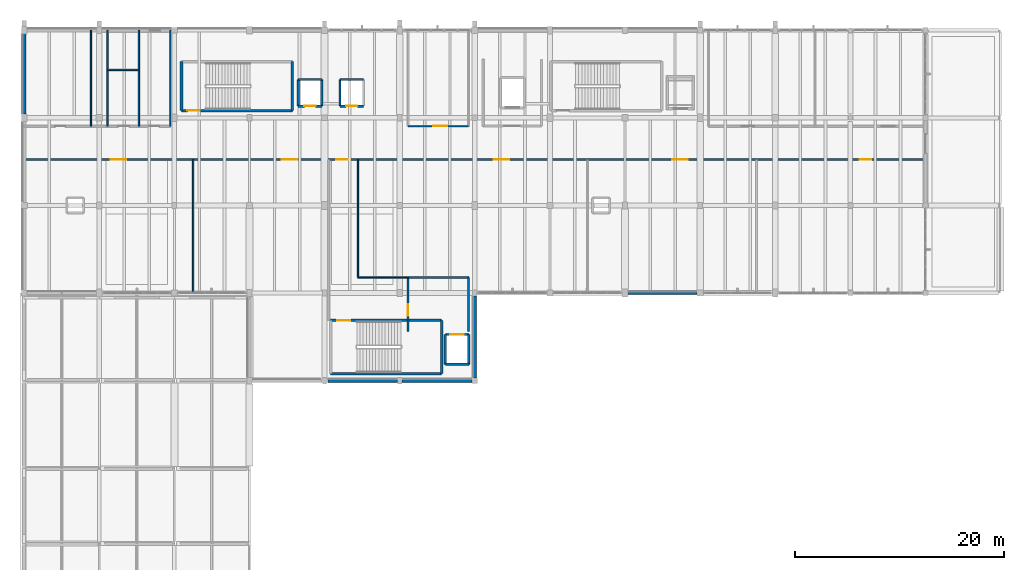
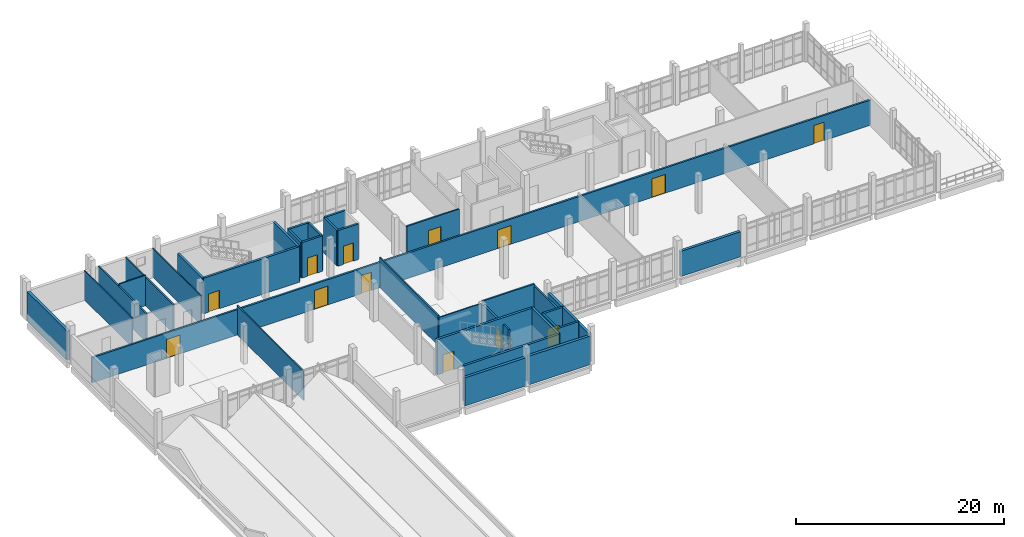
# One storey, part 33 of 41: 35 walls, 13 doors, 13 openings.
"""IFC4 building model written with IfcOpenShell, lengths in metres."""

import ifcopenshell
import ifcopenshell.guid

model = None  # the IFC model being written
_history = None  # IfcOwnerHistory: only IFC2X3 demands one
_inside = {}  # id of a spatial element -> (the spatial element, [elements in it])
_under = {}  # id of a project, library or spatial element -> (it, [spatial elements below it])
_declared = {}  # id of a project -> (the project, [libraries it declares])
_typed = {}  # id of a type object -> (the type object, [elements of that type])
_made_of = {}  # id of a material, layer set ... -> (it, [elements and type objects made of it])


def new_model(schema):
    """Start an empty IFC model of exactly this schema.

    Asked for "IFC4X3", IfcOpenShell would pick the latest addendum, in which some entities
    have other attributes; the version numbers below select the first issue.
    IFC2X3 requires an IfcOwnerHistory on every rooted entity: one is made here for all.
    """
    global model, _history
    if schema == "IFC4X3":
        model = ifcopenshell.file(schema_version=(4, 3, 0, 0))
    else:
        model = ifcopenshell.file(schema=schema)
    _inside.clear()
    _under.clear()
    _declared.clear()
    _typed.clear()
    _made_of.clear()
    _history = None
    if model.schema == "IFC2X3":
        org = make("IfcOrganization", Name="unknown")
        user = make(
            "IfcPersonAndOrganization",
            ThePerson=make("IfcPerson", FamilyName="unknown"),
            TheOrganization=org,
        )
        app = make(
            "IfcApplication",
            ApplicationDeveloper=org,
            Version="unknown",
            ApplicationFullName="unknown",
            ApplicationIdentifier="unknown",
        )
        _history = make(
            "IfcOwnerHistory",
            OwningUser=user,
            OwningApplication=app,
            ChangeAction="ADDED",
            CreationDate=0,
        )
    return model


def make(cls, **values):
    """One entity of the class cls with the attributes given. An attribute that is None is left unset."""
    return model.create_entity(
        cls, **{name: value for name, value in values.items() if value is not None}
    )


def rooted(cls, **values):
    """An entity with a GlobalId (a new one), such as an element, a storey or a relation."""
    return make(cls, GlobalId=ifcopenshell.guid.new(), OwnerHistory=_history, **values)


def si_unit(unit_type, name, prefix=None):
    """IfcSIUnit, for example si_unit("LENGTHUNIT", "METRE", prefix="MILLI")."""
    return make("IfcSIUnit", UnitType=unit_type, Prefix=prefix, Name=name)


def assignment(units):
    """IfcUnitAssignment: the units of a project."""
    return None if units is None else make("IfcUnitAssignment", Units=units)


def point(xyz):
    """IfcCartesianPoint."""
    return None if xyz is None else make("IfcCartesianPoint", Coordinates=xyz)


def direction(xyz):
    """IfcDirection."""
    return None if xyz is None else make("IfcDirection", DirectionRatios=xyz)


def frame(location, z_axis=None, x_axis=None):
    """IfcAxis2Placement3D, a coordinate frame: its origin and axes. An axis left out is left unset."""
    return make(
        "IfcAxis2Placement3D",
        Location=point(location),
        Axis=direction(z_axis),
        RefDirection=direction(x_axis),
    )


def frame_2d(location, x_axis=None):
    """IfcAxis2Placement2D, a coordinate frame in the plane: its origin and x axis."""
    return make(
        "IfcAxis2Placement2D", Location=point(location), RefDirection=direction(x_axis)
    )


def origin():
    """The frame at (0, 0, 0) with its axes left unset."""
    return frame((0.0, 0.0, 0.0))


def place(relative_to, where):
    """IfcLocalPlacement: puts the frame where relative to a parent placement (None: the world)."""
    return make(
        "IfcLocalPlacement", PlacementRelTo=relative_to, RelativePlacement=where
    )


def context(
    kind, dimensions, precision=None, world=None, true_north=None, identifier=None
):
    """IfcGeometricRepresentationContext, for example the 3D "Model" context."""
    return make(
        "IfcGeometricRepresentationContext",
        ContextIdentifier=identifier,
        ContextType=kind,
        CoordinateSpaceDimension=dimensions,
        Precision=precision,
        WorldCoordinateSystem=world,
        TrueNorth=true_north,
    )


def subcontext(parent, identifier, kind, view, scale=None):
    """IfcGeometricRepresentationSubContext, for example "Body" below "Model"."""
    return make(
        "IfcGeometricRepresentationSubContext",
        ContextIdentifier=identifier,
        ContextType=kind,
        ParentContext=parent,
        TargetScale=scale,
        TargetView=view,
    )


def project(units=None, contexts=None):
    """IfcProject with its units and contexts."""
    return rooted(
        "IfcProject",
        Name="project",
        RepresentationContexts=contexts,
        UnitsInContext=assignment(units),
    )


def spatial(cls, under=None, at=None, **own):
    """A site, building, storey or space (cls), placed at a placement, below another one or the project."""
    s = rooted(cls, ObjectPlacement=at, **own)
    if under is not None:
        _under.setdefault(under.id(), (under, []))[1].append(s)
    return s


def profile(cls, at=None, kind="AREA", **sizes):
    """A parametric profile (cls). Its sizes go by their IFC names, for example OverallWidth=200.0."""
    return make(cls, ProfileType=kind, Position=at, **sizes)


def rectangle(**sizes):
    """IfcRectangleProfileDef."""
    return profile("IfcRectangleProfileDef", **sizes)


def extrude(swept, where, along, depth):
    """IfcExtrudedAreaSolid: the profile swept, set in the frame where, extruded along a direction by depth."""
    return make(
        "IfcExtrudedAreaSolid",
        SweptArea=swept,
        Position=where,
        ExtrudedDirection=direction(along),
        Depth=depth,
    )


def shape(context_of_items, identifier, shape_type, items):
    """IfcShapeRepresentation: the items that make up one representation, for example the "Body"."""
    return make(
        "IfcShapeRepresentation",
        ContextOfItems=context_of_items,
        RepresentationIdentifier=identifier,
        RepresentationType=shape_type,
        Items=items,
    )


def material(Name=None, Category=None):
    """IfcMaterial."""
    return make("IfcMaterial", Name=Name, Category=Category)


def layer(
    of_material, thickness, ventilated=None, Name=None, Category=None, Priority=None
):
    """IfcMaterialLayer: one layer of a wall or slab, of a material (None: an air gap)."""
    return make(
        "IfcMaterialLayer",
        Material=of_material,
        LayerThickness=thickness,
        IsVentilated=ventilated,
        Name=Name,
        Category=Category,
        Priority=Priority,
    )


def layer_set(layers, Name=None):
    """IfcMaterialLayerSet."""
    return make("IfcMaterialLayerSet", MaterialLayers=layers, LayerSetName=Name)


def made_of(thing, what):
    """Note that an element or type object is made of a material, layer set ...; save() writes the relation."""
    if what is not None:
        _made_of.setdefault(what.id(), (what, []))[1].append(thing)
    return thing


def type_object(cls, material=None, **own):
    """A type object (cls), such as IfcWallType, which elements share."""
    return made_of(rooted(cls, **own), material)


def element(
    cls,
    number,
    at=None,
    inside=None,
    cuts=None,
    type_object=None,
    material=None,
    context=None,
    identifier="Body",
    shape_type=None,
    held_by="IfcProductDefinitionShape",
    body=None,
    shapes=None,
    **own,
):
    """One element of the class cls, such as IfcWall. Its Tag is "e" and its number.

    at: its placement. inside: the storey or other place that contains it. cuts: it is an
    opening in that element (IfcRelVoidsElement). A single representation is given by context,
    identifier, shape_type and body (its items); several are given by shapes. held_by: the class
    of the entity that holds the representations. save() writes the other relations.
    """
    e = rooted(cls, Tag="e%d" % number, ObjectPlacement=at, **own)
    if body is not None:
        shapes = [shape(context, identifier, shape_type, body)]
    if shapes is not None:
        e.Representation = make(held_by, Representations=shapes)
    if inside is not None:
        _inside.setdefault(inside.id(), (inside, []))[1].append(e)
    if cuts is not None:
        rooted(
            "IfcRelVoidsElement", RelatingBuildingElement=cuts, RelatedOpeningElement=e
        )
    if type_object is not None:
        _typed.setdefault(type_object.id(), (type_object, []))[1].append(e)
    return made_of(e, material)


def fill(opening, filler):
    """IfcRelFillsElement: the door or window that sits in an opening."""
    return rooted(
        "IfcRelFillsElement",
        RelatingOpeningElement=opening,
        RelatedBuildingElement=filler,
    )


def aggregate(whole, parts):
    """IfcRelAggregates: a whole, such as a stair, and the parts it consists of."""
    return rooted("IfcRelAggregates", RelatingObject=whole, RelatedObjects=parts)


def save(model, path):
    """Write the relations noted so far, then the file.

    IfcRelAggregates (storeys below a building ...), IfcRelContainedInSpatialStructure (elements
    in a storey), IfcRelDefinesByType, IfcRelAssociatesMaterial and IfcRelDeclares: one each for
    every whole, place, type object, material and project.
    """
    for whole, parts in _under.values():
        aggregate(whole, parts)
    for where, things in _inside.values():
        rooted(
            "IfcRelContainedInSpatialStructure",
            RelatedElements=things,
            RelatingStructure=where,
        )
    for kind, things in _typed.values():
        rooted("IfcRelDefinesByType", RelatedObjects=things, RelatingType=kind)
    for what, things in _made_of.values():
        rooted("IfcRelAssociatesMaterial", RelatedObjects=things, RelatingMaterial=what)
    for by, libraries in _declared.values():
        rooted("IfcRelDeclares", RelatingContext=by, RelatedDefinitions=libraries)
    model.write(path)


model = new_model("IFC4")

# Units and contexts
model_context = context("Model", 3, precision=1e-05, world=origin(), true_north=direction((0.0, 1.0)))
body_context = subcontext(model_context, "Body", "Model", "MODEL_VIEW")
ifc_project = project(units=[si_unit("LENGTHUNIT", "METRE"), si_unit("AREAUNIT", "SQUARE_METRE"), si_unit("VOLUMEUNIT", "CUBIC_METRE"), si_unit("PLANEANGLEUNIT", "RADIAN"), si_unit("MASSUNIT", "GRAM", prefix="KILO")], contexts=[model_context])

# Site, building, storey
site_placement = place(None, origin())
site = spatial("IfcSite", under=ifc_project, at=site_placement, CompositionType="ELEMENT")
building_placement = place(site_placement, origin())
building = spatial("IfcBuilding", under=site, at=building_placement, Name="Kalluvel Institute of Natural Sciences", CompositionType="ELEMENT")
storey_placement = place(building_placement, frame((0.0, 0.0, 32.39990234375)))
storey = spatial("IfcBuildingStorey", under=building, at=storey_placement, Name="L07", CompositionType="ELEMENT", Elevation=32.39990234375)

# Wall, opening, door
ifc_material_1 = material(Name="Concrete M40", Category="concrete")
ifc_layer_1 = layer(ifc_material_1, 0.25)
ifc_layer_set_1 = layer_set([ifc_layer_1], Name="Concrete M40")
wall_type_1 = type_object("IfcWallType", Name="WL-CORE-250", PredefinedType="SHEAR", material=ifc_layer_set_1)
wall_1_placement = place(storey_placement, frame((29.0849609375, 120.284912109375, 0.0), z_axis=(0.0, 0.0, 1.0), x_axis=(1.0, 0.0, 0.0)))
wall_1 = element("IfcWall", 1, at=wall_1_placement, inside=storey, type_object=wall_type_1, Name="ST1 L07 core wall S", PredefinedType="SHEAR", context=body_context, shape_type="SweptSolid", body=[
    extrude(rectangle(XDim=10.630126953125, YDim=0.25, at=frame_2d((5.31494140625, 0.0))), origin(), (0.0, 0.0, 1.0), 4.175048828125),
])
opening_1_placement = place(wall_1_placement, frame((0.550048828125, 0.0, 0.0)))
opening_1 = element("IfcOpeningElement", 2, at=opening_1_placement, cuts=wall_1, Name="Opening DS-009", PredefinedType="OPENING", context=body_context, shape_type="SweptSolid", body=[
    extrude(rectangle(XDim=1.199951171875, YDim=2.14990234375, at=frame_2d((0.60009765625, 1.074951171875))), frame((0.0, 0.135009765625, 0.0), z_axis=(0.0, -1.0, 0.0), x_axis=(1.0, 0.0, 0.0)), (0.0, 0.0, 1.0), 0.27001953125),
])
ifc_material_2 = material(Name="Galvanized Fire-Rated Steel", Category="steel")
door_type_1 = type_object("IfcDoorType", Name="DR-ST-1200", OperationType="NOTDEFINED", PredefinedType="DOOR", material=ifc_material_2)
door_1_placement = place(opening_1_placement, origin())
door_1 = element("IfcDoor", 3, at=door_1_placement, inside=storey, type_object=door_type_1, Name="ST1 L07 protected stair door DS-009", OperationType="SINGLE_SWING_LEFT", OverallHeight=2.14990234375, OverallWidth=1.199951171875, PredefinedType="DOOR", context=body_context, shape_type="SweptSolid", body=[
    extrude(rectangle(XDim=1.199951171875, YDim=2.14990234375, at=frame_2d((0.60009765625, 1.074951171875))), frame((0.0, 0.02490234375, 0.0), z_axis=(0.0, -1.0, 0.0), x_axis=(1.0, 0.0, 0.0)), (0.0, 0.0, 1.0), 0.050048828125),
])
fill(opening_1, door_1)

# Walls
for number, where, z_axis, x_axis, name in (
    (4, (39.715087890625, 120.284912109375, 0.0), (0.0, 0.0, 1.0), (0.0, 1.0, 0.0), "ST1 L07 core wall E"),
    (5, (29.0849609375, 124.985107421875, 0.0), (0.0, 0.0, 1.0), (0.0, -1.0, 0.0), "ST1 L07 core wall W"),
):
    element("IfcWall", number, at=place(storey_placement, frame(where, z_axis=z_axis, x_axis=x_axis)), inside=storey, type_object=wall_type_1, Name=name, PredefinedType="SHEAR", context=body_context, shape_type="SweptSolid", body=[
        extrude(rectangle(XDim=4.7001953125, YDim=0.25, at=frame_2d((2.35009765625, 0.0))), origin(), (0.0, 0.0, 1.0), 4.175048828125),
    ])
wall_2_placement = place(storey_placement, frame((43.385009765625, 95.0849609375, 0.0), z_axis=(0.0, 0.0, 1.0), x_axis=(1.0, 0.0, 0.0)))
element("IfcWall", 6, at=wall_2_placement, inside=storey, type_object=wall_type_1, Name="ST3 L07 core wall S", PredefinedType="SHEAR", context=body_context, shape_type="SweptSolid", body=[
    extrude(rectangle(XDim=10.6298828125, YDim=0.25, at=frame_2d((5.31494140625, 0.0))), origin(), (0.0, 0.0, 1.0), 4.175048828125),
])
wall_3_placement = place(storey_placement, frame((54.014892578125, 95.0849609375, 0.0), z_axis=(0.0, 0.0, 1.0), x_axis=(0.0, 1.0, 0.0)))
element("IfcWall", 7, at=wall_3_placement, inside=storey, type_object=wall_type_1, Name="ST3 L07 core wall E", PredefinedType="SHEAR", context=body_context, shape_type="SweptSolid", body=[
    extrude(rectangle(XDim=5.10009765625, YDim=0.25, at=frame_2d((2.550048828125, 0.0))), origin(), (0.0, 0.0, 1.0), 4.175048828125),
])

# Wall, opening, door
wall_4_placement = place(storey_placement, frame((54.014892578125, 100.18505859375, 0.0), z_axis=(0.0, 0.0, 1.0), x_axis=(-1.0, 0.0, 0.0)))
wall_4 = element("IfcWall", 8, at=wall_4_placement, inside=storey, type_object=wall_type_1, Name="ST3 L07 core wall N", PredefinedType="SHEAR", context=body_context, shape_type="SweptSolid", body=[
    extrude(rectangle(XDim=10.6298828125, YDim=0.25, at=frame_2d((5.31494140625, 0.0))), origin(), (0.0, 0.0, 1.0), 4.175048828125),
])
opening_2_placement = place(wall_4_placement, frame((8.780029296875, 0.0, 0.0)))
opening_2 = element("IfcOpeningElement", 9, at=opening_2_placement, cuts=wall_4, Name="Opening DS-031", PredefinedType="OPENING", context=body_context, shape_type="SweptSolid", body=[
    extrude(rectangle(XDim=1.199951171875, YDim=2.14990234375, at=frame_2d((0.60009765625, 1.074951171875))), frame((0.0, 0.135009765625, 0.0), z_axis=(0.0, -1.0, 0.0), x_axis=(1.0, 0.0, 0.0)), (0.0, 0.0, 1.0), 0.27001953125),
])
door_2_placement = place(opening_2_placement, origin())
door_2 = element("IfcDoor", 10, at=door_2_placement, inside=storey, type_object=door_type_1, Name="ST3 L07 protected stair door DS-031", OperationType="SINGLE_SWING_LEFT", OverallHeight=2.14990234375, OverallWidth=1.199951171875, PredefinedType="DOOR", context=body_context, shape_type="SweptSolid", body=[
    extrude(rectangle(XDim=1.199951171875, YDim=2.14990234375, at=frame_2d((0.60009765625, 1.074951171875))), frame((0.0, 0.02490234375, 0.0), z_axis=(0.0, -1.0, 0.0), x_axis=(1.0, 0.0, 0.0)), (0.0, 0.0, 1.0), 0.050048828125),
])
fill(opening_2, door_2)

# Walls
ifc_material_3 = material(Name="Sadarahalli Grey Granite Ashlar Concrete M40", Category="masonry")
ifc_layer_2 = layer(ifc_material_3, 0.300048828125)
ifc_layer_set_2 = layer_set([ifc_layer_2], Name="Sadarahalli Grey Granite Ashlar Concrete M40")
wall_type_2 = type_object("IfcWallType", Name="WL-EXT-300", PredefinedType="SOLIDWALL", material=ifc_layer_set_2)
wall_5_placement = place(storey_placement, frame((71.85498046875, 102.800048828125, 0.0), z_axis=(0.0, 0.0, 1.0), x_axis=(1.0, 0.0, 0.0)))
element("IfcWall", 11, at=wall_5_placement, inside=storey, type_object=wall_type_2, Name="L07 Sadarahalli granite exterior wall WL-EXT-L07-0095", PredefinedType="SOLIDWALL", context=body_context, shape_type="SweptSolid", body=[
    extrude(rectangle(XDim=6.6650390625, YDim=0.300048828125, at=frame_2d((3.33251953125, 0.0))), origin(), (0.0, 0.0, 1.0), 2.955078125),
])
wall_6_placement = place(storey_placement, frame((43.10498046875, 94.39990234375, 0.0), z_axis=(0.0, 0.0, 1.0), x_axis=(1.0, 0.0, 0.0)))
element("IfcWall", 12, at=wall_6_placement, inside=storey, type_object=wall_type_2, Name="L07 Sadarahalli granite exterior wall WL-EXT-L07-0126", PredefinedType="SOLIDWALL", context=body_context, shape_type="SweptSolid", body=[
    extrude(rectangle(XDim=6.68994140625, YDim=0.300048828125, at=frame_2d((3.344970703125, 0.0))), origin(), (0.0, 0.0, 1.0), 3.30517578125),
])
wall_7_placement = place(storey_placement, frame((50.205078125, 94.39990234375, 0.0), z_axis=(0.0, 0.0, 1.0), x_axis=(1.0, 0.0, 0.0)))
element("IfcWall", 13, at=wall_7_placement, inside=storey, type_object=wall_type_2, Name="L07 Sadarahalli granite exterior wall WL-EXT-L07-0127", PredefinedType="SOLIDWALL", context=body_context, shape_type="SweptSolid", body=[
    extrude(rectangle(XDim=6.739990234375, YDim=0.300048828125, at=frame_2d((3.3701171875, 0.0))), origin(), (0.0, 0.0, 1.0), 3.35498046875),
])
wall_8_placement = place(storey_placement, frame((57.199951171875, 94.655029296875, 0.0), z_axis=(0.0, 0.0, 1.0), x_axis=(0.0, 1.0, 0.0)))
element("IfcWall", 14, at=wall_8_placement, inside=storey, type_object=wall_type_2, Name="L07 Sadarahalli granite exterior wall WL-EXT-L07-0128", PredefinedType="SOLIDWALL", context=body_context, shape_type="SweptSolid", body=[
    extrude(rectangle(XDim=7.864990234375, YDim=0.300048828125, at=frame_2d((3.9326171875, 0.0))), origin(), (0.0, 0.0, 1.0), 3.35498046875),
])
ifc_layer_3 = layer(ifc_material_3, 0.320068359375)
ifc_layer_set_3 = layer_set([ifc_layer_3], Name="Sadarahalli Grey Granite Ashlar Concrete M40")
wall_type_3 = type_object("IfcWallType", Name="WL-EXT-320", PredefinedType="SOLIDWALL", material=ifc_layer_set_3)
wall_9_placement = place(storey_placement, frame((14.0, 119.955078125, 0.0), z_axis=(0.0, 0.0, 1.0), x_axis=(0.0, 1.0, 0.0)))
element("IfcWall", 15, at=wall_9_placement, inside=storey, type_object=wall_type_3, Name="L07 Sadarahalli granite exterior wall WL-EXT-L07-0099", PredefinedType="SOLIDWALL", context=body_context, shape_type="SweptSolid", body=[
    extrude(rectangle(XDim=7.71484375, YDim=0.320068359375, at=frame_2d((3.857421875, 0.0))), origin(), (0.0, 0.0, 1.0), 3.405029296875),
])
ifc_material_4 = material(Name="Autoclaved Aerated Concrete Masonry Block", Category="masonry")
ifc_layer_4 = layer(ifc_material_4, 0.179931640625)
ifc_layer_set_4 = layer_set([ifc_layer_4], Name="Autoclaved Aerated Concrete Masonry Block")
wall_type_4 = type_object("IfcWallType", Name="WL-FIRE-180", PredefinedType="SOLIDWALL", material=ifc_layer_set_4)
wall_10_placement = place(storey_placement, frame((50.800048828125, 104.300048828125, 0.0), z_axis=(0.0, 0.0, 1.0), x_axis=(1.0, 0.0, 0.0)))
element("IfcWall", 16, at=wall_10_placement, inside=storey, type_object=wall_type_4, Name="L07 interior fire wall WL-INT-L07-0314", PredefinedType="SOLIDWALL", context=body_context, shape_type="SweptSolid", body=[
    extrude(rectangle(XDim=5.800048828125, YDim=0.179931640625, at=frame_2d((2.89990234375, 0.0))), origin(), (0.0, 0.0, 1.0), 3.56005859375),
])

# Wall, opening, door
ifc_layer_5 = layer(ifc_material_4, 0.199951171875)
ifc_layer_set_5 = layer_set([ifc_layer_5], Name="Autoclaved Aerated Concrete Masonry Block")
wall_type_5 = type_object("IfcWallType", Name="WL-FIRE-200", PredefinedType="SOLIDWALL", material=ifc_layer_set_5)
wall_11_placement = place(storey_placement, frame((50.800048828125, 99.10009765625, 0.0), z_axis=(0.0, 0.0, 1.0), x_axis=(0.0, 1.0, 0.0)))
wall_11 = element("IfcWall", 17, at=wall_11_placement, inside=storey, type_object=wall_type_5, Name="L07 interior fire wall WL-INT-L07-0312", PredefinedType="SOLIDWALL", context=body_context, shape_type="SweptSolid", body=[
    extrude(rectangle(XDim=5.199951171875, YDim=0.199951171875, at=frame_2d((2.60009765625, 0.0))), origin(), (0.0, 0.0, 1.0), 3.360107421875),
])
opening_3_placement = place(wall_11_placement, frame((1.550048828125, 0.0, 0.0)))
opening_3 = element("IfcOpeningElement", 18, at=opening_3_placement, cuts=wall_11, Name="Opening D-236", PredefinedType="OPENING", context=body_context, shape_type="SweptSolid", body=[
    extrude(rectangle(XDim=1.10009765625, YDim=2.14990234375, at=frame_2d((0.550048828125, 1.074951171875))), frame((0.0, 0.10986328125, 0.0), z_axis=(0.0, -1.0, 0.0), x_axis=(1.0, 0.0, 0.0)), (0.0, 0.0, 1.0), 0.219970703125),
])
door_type_2 = type_object("IfcDoorType", Name="DR-FD60-1100", OperationType="NOTDEFINED", PredefinedType="DOOR", material=ifc_material_2)
door_3_placement = place(opening_3_placement, origin())
door_3 = element("IfcDoor", 19, at=door_3_placement, inside=storey, type_object=door_type_2, Name="L07 ST3-FF2 link door D-236", OperationType="SINGLE_SWING_LEFT", OverallHeight=2.14990234375, OverallWidth=1.10009765625, PredefinedType="DOOR", context=body_context, shape_type="SweptSolid", body=[
    extrude(rectangle(XDim=1.10009765625, YDim=2.14990234375, at=frame_2d((0.550048828125, 1.074951171875))), frame((0.0, 0.02490234375, 0.0), z_axis=(0.0, -1.0, 0.0), x_axis=(1.0, 0.0, 0.0)), (0.0, 0.0, 1.0), 0.050048828125),
])
fill(opening_3, door_3)

# Wall
wall_12_placement = place(storey_placement, frame((56.60009765625, 99.10009765625, 0.0), z_axis=(0.0, 0.0, 1.0), x_axis=(0.0, 1.0, 0.0)))
element("IfcWall", 20, at=wall_12_placement, inside=storey, type_object=wall_type_5, Name="L07 interior fire wall WL-INT-L07-0313", PredefinedType="SOLIDWALL", context=body_context, shape_type="SweptSolid", body=[
    extrude(rectangle(XDim=5.199951171875, YDim=0.199951171875, at=frame_2d((2.60009765625, 0.0))), origin(), (0.0, 0.0, 1.0), 3.360107421875),
])

# Wall, openings, doors
wall_13_placement = place(storey_placement, frame((14.0, 115.60009765625, 0.0), z_axis=(0.0, 0.0, 1.0), x_axis=(1.0, 0.0, 0.0)))
wall_13 = element("IfcWall", 21, at=wall_13_placement, inside=storey, type_object=wall_type_5, Name="L07 interior fire wall WL-INT-L07-0330", PredefinedType="SOLIDWALL", context=body_context, shape_type="SweptSolid", body=[
    extrude(rectangle(XDim=86.39990234375, YDim=0.199951171875, at=frame_2d((43.199951171875, 0.0))), origin(), (0.0, 0.0, 1.0), 2.960205078125),
])
opening_4_placement = place(wall_13_placement, frame((29.89990234375, 0.0, 0.0)))
opening_4 = element("IfcOpeningElement", 22, at=opening_4_placement, cuts=wall_13, Name="Opening D-243", PredefinedType="OPENING", context=body_context, shape_type="SweptSolid", body=[
    extrude(rectangle(XDim=1.10009765625, YDim=2.14990234375, at=frame_2d((0.550048828125, 1.074951171875))), frame((0.0, 0.10986328125, 0.0), z_axis=(0.0, -1.0, 0.0), x_axis=(1.0, 0.0, 0.0)), (0.0, 0.0, 1.0), 0.219970703125),
])
opening_5_placement = place(wall_13_placement, frame((8.300048828125, 0.0, 0.0)))
opening_5 = element("IfcOpeningElement", 23, at=opening_5_placement, cuts=wall_13, Name="Opening D-244", PredefinedType="OPENING", context=body_context, shape_type="SweptSolid", body=[
    extrude(rectangle(XDim=1.5, YDim=2.199951171875, at=frame_2d((0.75, 1.10009765625))), frame((0.0, 0.10986328125, 0.0), z_axis=(0.0, -1.0, 0.0), x_axis=(1.0, 0.0, 0.0)), (0.0, 0.0, 1.0), 0.219970703125),
])
opening_6_placement = place(wall_13_placement, frame((24.699951171875, 0.0, 0.0)))
opening_6 = element("IfcOpeningElement", 24, at=opening_6_placement, cuts=wall_13, Name="Opening D-245", PredefinedType="OPENING", context=body_context, shape_type="SweptSolid", body=[
    extrude(rectangle(XDim=1.5, YDim=2.199951171875, at=frame_2d((0.75, 1.10009765625))), frame((0.0, 0.10986328125, 0.0), z_axis=(0.0, -1.0, 0.0), x_axis=(1.0, 0.0, 0.0)), (0.0, 0.0, 1.0), 0.219970703125),
])
opening_7_placement = place(wall_13_placement, frame((45.0, 0.0, 0.0)))
opening_7 = element("IfcOpeningElement", 25, at=opening_7_placement, cuts=wall_13, Name="Opening D-246", PredefinedType="OPENING", context=body_context, shape_type="SweptSolid", body=[
    extrude(rectangle(XDim=1.5, YDim=2.199951171875, at=frame_2d((0.75, 1.10009765625))), frame((0.0, 0.10986328125, 0.0), z_axis=(0.0, -1.0, 0.0), x_axis=(1.0, 0.0, 0.0)), (0.0, 0.0, 1.0), 0.219970703125),
])
opening_8_placement = place(wall_13_placement, frame((62.10009765625, 0.0, 0.0)))
opening_8 = element("IfcOpeningElement", 26, at=opening_8_placement, cuts=wall_13, Name="Opening D-247", PredefinedType="OPENING", context=body_context, shape_type="SweptSolid", body=[
    extrude(rectangle(XDim=1.5, YDim=2.199951171875, at=frame_2d((0.75, 1.10009765625))), frame((0.0, 0.10986328125, 0.0), z_axis=(0.0, -1.0, 0.0), x_axis=(1.0, 0.0, 0.0)), (0.0, 0.0, 1.0), 0.219970703125),
])
opening_9_placement = place(wall_13_placement, frame((80.10009765625, 0.0, 0.0)))
opening_9 = element("IfcOpeningElement", 27, at=opening_9_placement, cuts=wall_13, Name="Opening D-248", PredefinedType="OPENING", context=body_context, shape_type="SweptSolid", body=[
    extrude(rectangle(XDim=1.10009765625, YDim=2.14990234375, at=frame_2d((0.550048828125, 1.074951171875))), frame((0.0, 0.10986328125, 0.0), z_axis=(0.0, -1.0, 0.0), x_axis=(1.0, 0.0, 0.0)), (0.0, 0.0, 1.0), 0.219970703125),
])
door_4_placement = place(opening_4_placement, origin())
door_4 = element("IfcDoor", 28, at=door_4_placement, inside=storey, type_object=door_type_2, Name="L07 Knuckle to Spine door D-243", OperationType="SINGLE_SWING_RIGHT", OverallHeight=2.14990234375, OverallWidth=1.10009765625, PredefinedType="DOOR", context=body_context, shape_type="SweptSolid", body=[
    extrude(rectangle(XDim=1.10009765625, YDim=2.14990234375, at=frame_2d((0.550048828125, 1.074951171875))), frame((0.0, 0.02490234375, 0.0), z_axis=(0.0, -1.0, 0.0), x_axis=(1.0, 0.0, 0.0)), (0.0, 0.0, 1.0), 0.050048828125),
])
fill(opening_4, door_4)
door_5_placement = place(opening_9_placement, origin())
door_5 = element("IfcDoor", 29, at=door_5_placement, inside=storey, type_object=door_type_2, Name="Visiting Fellows Write-Up and Reading Studio door D-248", OperationType="SINGLE_SWING_LEFT", OverallHeight=2.14990234375, OverallWidth=1.10009765625, PredefinedType="DOOR", context=body_context, shape_type="SweptSolid", body=[
    extrude(rectangle(XDim=1.10009765625, YDim=2.14990234375, at=frame_2d((0.550048828125, 1.074951171875))), frame((0.0, 0.02490234375, 0.0), z_axis=(0.0, -1.0, 0.0), x_axis=(1.0, 0.0, 0.0)), (0.0, 0.0, 1.0), 0.050048828125),
])
fill(opening_9, door_5)
door_type_3 = type_object("IfcDoorType", Name="DR-FD60-1500", OperationType="NOTDEFINED", PredefinedType="DOOR", material=ifc_material_2)
door_6_placement = place(opening_5_placement, origin())
door_6 = element("IfcDoor", 30, at=door_6_placement, inside=storey, type_object=door_type_3, Name="Western Ghats Herbarium Archive and Vault door D-244", OperationType="DOUBLE_DOOR_SINGLE_SWING", OverallHeight=2.199951171875, OverallWidth=1.5, PredefinedType="DOOR", context=body_context, shape_type="SweptSolid", body=[
    extrude(rectangle(XDim=1.5, YDim=2.199951171875, at=frame_2d((0.75, 1.10009765625))), frame((0.0, 0.02490234375, 0.0), z_axis=(0.0, -1.0, 0.0), x_axis=(1.0, 0.0, 0.0)), (0.0, 0.0, 1.0), 0.050048828125),
])
fill(opening_5, door_6)
door_7_placement = place(opening_6_placement, origin())
door_7 = element("IfcDoor", 31, at=door_7_placement, inside=storey, type_object=door_type_3, Name="Entomological and Botanical Specimen Collection door D-245", OperationType="DOUBLE_DOOR_SINGLE_SWING", OverallHeight=2.199951171875, OverallWidth=1.5, PredefinedType="DOOR", context=body_context, shape_type="SweptSolid", body=[
    extrude(rectangle(XDim=1.5, YDim=2.199951171875, at=frame_2d((0.75, 1.10009765625))), frame((0.0, 0.02490234375, 0.0), z_axis=(0.0, -1.0, 0.0), x_axis=(1.0, 0.0, 0.0)), (0.0, 0.0, 1.0), 0.050048828125),
])
fill(opening_6, door_7)
door_8_placement = place(opening_7_placement, origin())
door_8 = element("IfcDoor", 32, at=door_8_placement, inside=storey, type_object=door_type_3, Name="Conservation Genetics Wet Laboratory door D-246", OperationType="DOUBLE_DOOR_SINGLE_SWING", OverallHeight=2.199951171875, OverallWidth=1.5, PredefinedType="DOOR", context=body_context, shape_type="SweptSolid", body=[
    extrude(rectangle(XDim=1.5, YDim=2.199951171875, at=frame_2d((0.75, 1.10009765625))), frame((0.0, 0.02490234375, 0.0), z_axis=(0.0, -1.0, 0.0), x_axis=(1.0, 0.0, 0.0)), (0.0, 0.0, 1.0), 0.050048828125),
])
fill(opening_7, door_8)
door_9_placement = place(opening_8_placement, origin())
door_9 = element("IfcDoor", 33, at=door_9_placement, inside=storey, type_object=door_type_3, Name="Ethnobotany Phytochemistry Laboratory door D-247", OperationType="DOUBLE_DOOR_SINGLE_SWING", OverallHeight=2.199951171875, OverallWidth=1.5, PredefinedType="DOOR", context=body_context, shape_type="SweptSolid", body=[
    extrude(rectangle(XDim=1.5, YDim=2.199951171875, at=frame_2d((0.75, 1.10009765625))), frame((0.0, 0.02490234375, 0.0), z_axis=(0.0, -1.0, 0.0), x_axis=(1.0, 0.0, 0.0)), (0.0, 0.0, 1.0), 0.050048828125),
])
fill(opening_8, door_9)

# Walls
ifc_material_5 = material(Name="Acoustic Gypsum Twin-Stud Partition", Category="gypsum")
ifc_layer_6 = layer(ifc_material_5, 0.1201171875)
ifc_layer_set_6 = layer_set([ifc_layer_6], Name="Acoustic Gypsum Twin-Stud Partition")
wall_type_6 = type_object("IfcWallType", Name="WL-PART-120", PredefinedType="PARTITIONING", material=ifc_layer_set_6)
wall_14_placement = place(storey_placement, frame((46.0, 104.300048828125, 0.0), z_axis=(0.0, 0.0, 1.0), x_axis=(1.0, 0.0, 0.0)))
element("IfcWall", 34, at=wall_14_placement, inside=storey, type_object=wall_type_6, Name="L07 interior partition wall WL-INT-L07-0317", PredefinedType="PARTITIONING", context=body_context, shape_type="SweptSolid", body=[
    extrude(rectangle(XDim=4.800048828125, YDim=0.1201171875, at=frame_2d((2.39990234375, 0.0))), origin(), (0.0, 0.0, 1.0), 3.31005859375),
])
wall_15_placement = place(storey_placement, frame((20.39990234375, 118.800048828125, 0.0), z_axis=(0.0, 0.0, 1.0), x_axis=(0.0, 1.0, 0.0)))
element("IfcWall", 35, at=wall_15_placement, inside=storey, type_object=wall_type_6, Name="L07 interior partition wall WL-INT-L07-0320", PredefinedType="PARTITIONING", context=body_context, shape_type="SweptSolid", body=[
    extrude(rectangle(XDim=9.199951171875, YDim=0.1201171875, at=frame_2d((4.60009765625, 0.0))), origin(), (0.0, 0.0, 1.0), 3.41015625),
])
wall_16_placement = place(storey_placement, frame((28.0, 118.800048828125, 0.0), z_axis=(0.0, 0.0, 1.0), x_axis=(0.0, 1.0, 0.0)))
element("IfcWall", 36, at=wall_16_placement, inside=storey, type_object=wall_type_6, Name="L07 interior partition wall WL-INT-L07-0323", PredefinedType="PARTITIONING", context=body_context, shape_type="SweptSolid", body=[
    extrude(rectangle(XDim=9.199951171875, YDim=0.1201171875, at=frame_2d((4.60009765625, 0.0))), origin(), (0.0, 0.0, 1.0), 3.360107421875),
])
ifc_layer_7 = layer(ifc_material_5, 0.139892578125)
ifc_layer_set_7 = layer_set([ifc_layer_7], Name="Acoustic Gypsum Twin-Stud Partition")
wall_type_7 = type_object("IfcWallType", Name="WL-PART-140", PredefinedType="PARTITIONING", material=ifc_layer_set_7)
wall_17_placement = place(storey_placement, frame((46.0, 104.300048828125, 0.0), z_axis=(0.0, 0.0, 1.0), x_axis=(0.0, 1.0, 0.0)))
element("IfcWall", 37, at=wall_17_placement, inside=storey, type_object=wall_type_7, Name="L07 interior partition wall WL-INT-L07-0316", PredefinedType="PARTITIONING", context=body_context, shape_type="SweptSolid", body=[
    extrude(rectangle(XDim=11.300048828125, YDim=0.139892578125, at=frame_2d((5.64990234375, 0.0))), origin(), (0.0, 0.0, 1.0), 3.52001953125),
])
wall_18_placement = place(storey_placement, frame((22.0, 124.199951171875, 0.0), z_axis=(0.0, 0.0, 1.0), x_axis=(1.0, 0.0, 0.0)))
element("IfcWall", 38, at=wall_18_placement, inside=storey, type_object=wall_type_7, Name="L07 interior partition wall WL-INT-L07-0319", PredefinedType="PARTITIONING", context=body_context, shape_type="SweptSolid", body=[
    extrude(rectangle(XDim=3.0, YDim=0.139892578125, at=frame_2d((1.5, 0.0))), origin(), (0.0, 0.0, 1.0), 3.56005859375),
])
wall_19_placement = place(storey_placement, frame((25.0, 118.800048828125, 0.0), z_axis=(0.0, 0.0, 1.0), x_axis=(0.0, 1.0, 0.0)))
element("IfcWall", 39, at=wall_19_placement, inside=storey, type_object=wall_type_7, Name="L07 interior partition wall WL-INT-L07-0322", PredefinedType="PARTITIONING", context=body_context, shape_type="SweptSolid", body=[
    extrude(rectangle(XDim=9.199951171875, YDim=0.139892578125, at=frame_2d((4.60009765625, 0.0))), origin(), (0.0, 0.0, 1.0), 3.360107421875),
])
wall_20_placement = place(storey_placement, frame((30.199951171875, 102.800048828125, 0.0), z_axis=(0.0, 0.0, 1.0), x_axis=(0.0, 1.0, 0.0)))
element("IfcWall", 40, at=wall_20_placement, inside=storey, type_object=wall_type_7, Name="L07 interior partition wall WL-INT-L07-0331", PredefinedType="PARTITIONING", context=body_context, shape_type="SweptSolid", body=[
    extrude(rectangle(XDim=12.800048828125, YDim=0.139892578125, at=frame_2d((6.39990234375, 0.0))), origin(), (0.0, 0.0, 1.0), 3.41015625),
])
ifc_layer_8 = layer(ifc_material_4, 0.159912109375)
ifc_layer_set_8 = layer_set([ifc_layer_8], Name="Autoclaved Aerated Concrete Masonry Block")
wall_type_8 = type_object("IfcWallType", Name="WL-PART-160", PredefinedType="PARTITIONING", material=ifc_layer_set_8)
wall_21_placement = place(storey_placement, frame((22.0, 118.800048828125, 0.0), z_axis=(0.0, 0.0, 1.0), x_axis=(0.0, 1.0, 0.0)))
element("IfcWall", 41, at=wall_21_placement, inside=storey, type_object=wall_type_8, Name="L07 interior partition wall WL-INT-L07-0321", PredefinedType="PARTITIONING", context=body_context, shape_type="SweptSolid", body=[
    extrude(rectangle(XDim=9.199951171875, YDim=0.159912109375, at=frame_2d((4.60009765625, 0.0))), origin(), (0.0, 0.0, 1.0), 3.360107421875),
])

# Wall, opening, door
wall_22_placement = place(storey_placement, frame((50.800048828125, 118.800048828125, 0.0), z_axis=(0.0, 0.0, 1.0), x_axis=(1.0, 0.0, 0.0)))
wall_22 = element("IfcWall", 42, at=wall_22_placement, inside=storey, type_object=wall_type_8, Name="L07 interior partition wall WL-INT-L07-0324", PredefinedType="PARTITIONING", context=body_context, shape_type="SweptSolid", body=[
    extrude(rectangle(XDim=5.800048828125, YDim=0.159912109375, at=frame_2d((2.89990234375, 0.0))), origin(), (0.0, 0.0, 1.0), 3.5400390625),
])
opening_10_placement = place(wall_22_placement, frame((2.39990234375, 0.0, 0.0)))
opening_10 = element("IfcOpeningElement", 43, at=opening_10_placement, cuts=wall_22, Name="Opening D-240", PredefinedType="OPENING", context=body_context, shape_type="SweptSolid", body=[
    extrude(rectangle(XDim=1.35009765625, YDim=2.199951171875, at=frame_2d((0.675048828125, 1.10009765625))), frame((0.0, 0.08984375, 0.0), z_axis=(0.0, -1.0, 0.0), x_axis=(1.0, 0.0, 0.0)), (0.0, 0.0, 1.0), 0.179931640625),
])
ifc_material_6 = material(Name="Aluminium AW-6063 T6", Category="aluminium")
door_type_4 = type_object("IfcDoorType", Name="DR-INT-1350", OperationType="NOTDEFINED", PredefinedType="DOOR", material=ifc_material_6)
door_10_placement = place(opening_10_placement, origin())
door_10 = element("IfcDoor", 44, at=door_10_placement, inside=storey, type_object=door_type_4, Name="L07 North Write-Up door D-240", OperationType="SINGLE_SWING_RIGHT", OverallHeight=2.199951171875, OverallWidth=1.35009765625, PredefinedType="DOOR", context=body_context, shape_type="SweptSolid", body=[
    extrude(rectangle(XDim=1.35009765625, YDim=2.199951171875, at=frame_2d((0.675048828125, 1.10009765625))), frame((0.0, 0.02490234375, 0.0), z_axis=(0.0, -1.0, 0.0), x_axis=(1.0, 0.0, 0.0)), (0.0, 0.0, 1.0), 0.050048828125),
])
fill(opening_10, door_10)

ifc_layer_9 = layer(ifc_material_1, 0.219970703125)
ifc_layer_set_9 = layer_set([ifc_layer_9], Name="Concrete M40")
wall_type_9 = type_object("IfcWallType", Name="WL-SHAFT-220", PredefinedType="SHEAR", material=ifc_layer_set_9)
wall_23_placement = place(storey_placement, frame((40.27001953125, 120.719970703125, 0.0), z_axis=(0.0, 0.0, 1.0), x_axis=(1.0, 0.0, 0.0)))
wall_23 = element("IfcWall", 45, at=wall_23_placement, inside=storey, type_object=wall_type_9, Name="LF1 L07 lift shaft wall", PredefinedType="SHEAR", context=body_context, shape_type="SweptSolid", body=[
    extrude(rectangle(XDim=2.260009765625, YDim=0.219970703125, at=frame_2d((1.1298828125, 0.0))), origin(), (0.0, 0.0, 1.0), 4.175048828125),
])
opening_11_placement = place(wall_23_placement, frame((0.580078125, 0.0, 0.0)))
opening_11 = element("IfcOpeningElement", 46, at=opening_11_placement, cuts=wall_23, Name="Opening LD-009", PredefinedType="OPENING", context=body_context, shape_type="SweptSolid", body=[
    extrude(rectangle(XDim=1.10009765625, YDim=2.14990234375, at=frame_2d((0.550048828125, 1.074951171875))), frame((0.0, 0.119873046875, 0.0), z_axis=(0.0, -1.0, 0.0), x_axis=(1.0, 0.0, 0.0)), (0.0, 0.0, 1.0), 0.239990234375),
])
door_type_5 = type_object("IfcDoorType", Name="DR-LD-1100", OperationType="NOTDEFINED", PredefinedType="DOOR", material=ifc_material_2)
door_11_placement = place(opening_11_placement, origin())
door_11 = element("IfcDoor", 47, at=door_11_placement, inside=storey, type_object=door_type_5, Name="LF1 L07 sliding lift landing door LD-009", OperationType="DOUBLE_DOOR_SLIDING", OverallHeight=2.14990234375, OverallWidth=1.10009765625, PredefinedType="DOOR", context=body_context, shape_type="SweptSolid", body=[
    extrude(rectangle(XDim=1.10009765625, YDim=2.14990234375, at=frame_2d((0.550048828125, 1.074951171875))), frame((0.0, 0.02490234375, 0.0), z_axis=(0.0, -1.0, 0.0), x_axis=(1.0, 0.0, 0.0)), (0.0, 0.0, 1.0), 0.050048828125),
])
fill(opening_11, door_11)

# Walls
wall_24_placement = place(storey_placement, frame((42.530029296875, 120.719970703125, 0.0), z_axis=(0.0, 0.0, 1.0), x_axis=(0.0, 1.0, 0.0)))
element("IfcWall", 48, at=wall_24_placement, inside=storey, type_object=wall_type_9, Name="LF1 L07 lift shaft wall", PredefinedType="SHEAR", context=body_context, shape_type="SweptSolid", body=[
    extrude(rectangle(XDim=2.56005859375, YDim=0.219970703125, at=frame_2d((1.280029296875, 0.0))), origin(), (0.0, 0.0, 1.0), 4.175048828125),
])
wall_25_placement = place(storey_placement, frame((42.530029296875, 123.280029296875, 0.0), z_axis=(0.0, 0.0, 1.0), x_axis=(-1.0, 0.0, 0.0)))
element("IfcWall", 49, at=wall_25_placement, inside=storey, type_object=wall_type_9, Name="LF1 L07 lift shaft wall", PredefinedType="SHEAR", context=body_context, shape_type="SweptSolid", body=[
    extrude(rectangle(XDim=2.260009765625, YDim=0.219970703125, at=frame_2d((1.1298828125, 0.0))), origin(), (0.0, 0.0, 1.0), 4.175048828125),
])
wall_26_placement = place(storey_placement, frame((40.27001953125, 123.280029296875, 0.0), z_axis=(0.0, 0.0, 1.0), x_axis=(0.0, -1.0, 0.0)))
element("IfcWall", 50, at=wall_26_placement, inside=storey, type_object=wall_type_9, Name="LF1 L07 lift shaft wall", PredefinedType="SHEAR", context=body_context, shape_type="SweptSolid", body=[
    extrude(rectangle(XDim=2.56005859375, YDim=0.219970703125, at=frame_2d((1.280029296875, 0.0))), origin(), (0.0, 0.0, 1.0), 4.175048828125),
])

# Wall, opening, door
wall_27_placement = place(storey_placement, frame((44.27001953125, 120.719970703125, 0.0), z_axis=(0.0, 0.0, 1.0), x_axis=(1.0, 0.0, 0.0)))
wall_27 = element("IfcWall", 51, at=wall_27_placement, inside=storey, type_object=wall_type_9, Name="LF2 L07 lift shaft wall", PredefinedType="SHEAR", context=body_context, shape_type="SweptSolid", body=[
    extrude(rectangle(XDim=2.260009765625, YDim=0.219970703125, at=frame_2d((1.1298828125, 0.0))), origin(), (0.0, 0.0, 1.0), 4.175048828125),
])
opening_12_placement = place(wall_27_placement, frame((0.580078125, 0.0, 0.0)))
opening_12 = element("IfcOpeningElement", 52, at=opening_12_placement, cuts=wall_27, Name="Opening LD-019", PredefinedType="OPENING", context=body_context, shape_type="SweptSolid", body=[
    extrude(rectangle(XDim=1.10009765625, YDim=2.14990234375, at=frame_2d((0.550048828125, 1.074951171875))), frame((0.0, 0.119873046875, 0.0), z_axis=(0.0, -1.0, 0.0), x_axis=(1.0, 0.0, 0.0)), (0.0, 0.0, 1.0), 0.239990234375),
])
door_12_placement = place(opening_12_placement, origin())
door_12 = element("IfcDoor", 53, at=door_12_placement, inside=storey, type_object=door_type_5, Name="LF2 L07 sliding lift landing door LD-019", OperationType="DOUBLE_DOOR_SLIDING", OverallHeight=2.14990234375, OverallWidth=1.10009765625, PredefinedType="DOOR", context=body_context, shape_type="SweptSolid", body=[
    extrude(rectangle(XDim=1.10009765625, YDim=2.14990234375, at=frame_2d((0.550048828125, 1.074951171875))), frame((0.0, 0.02490234375, 0.0), z_axis=(0.0, -1.0, 0.0), x_axis=(1.0, 0.0, 0.0)), (0.0, 0.0, 1.0), 0.050048828125),
])
fill(opening_12, door_12)

# Walls
wall_28_placement = place(storey_placement, frame((46.530029296875, 123.280029296875, 0.0), z_axis=(0.0, 0.0, 1.0), x_axis=(-1.0, 0.0, 0.0)))
element("IfcWall", 54, at=wall_28_placement, inside=storey, type_object=wall_type_9, Name="LF2 L07 lift shaft wall", PredefinedType="SHEAR", context=body_context, shape_type="SweptSolid", body=[
    extrude(rectangle(XDim=2.260009765625, YDim=0.219970703125, at=frame_2d((1.1298828125, 0.0))), origin(), (0.0, 0.0, 1.0), 4.175048828125),
])
wall_29_placement = place(storey_placement, frame((44.27001953125, 123.280029296875, 0.0), z_axis=(0.0, 0.0, 1.0), x_axis=(0.0, -1.0, 0.0)))
element("IfcWall", 55, at=wall_29_placement, inside=storey, type_object=wall_type_9, Name="LF2 L07 lift shaft wall", PredefinedType="SHEAR", context=body_context, shape_type="SweptSolid", body=[
    extrude(rectangle(XDim=2.56005859375, YDim=0.219970703125, at=frame_2d((1.280029296875, 0.0))), origin(), (0.0, 0.0, 1.0), 4.175048828125),
])
wall_30_placement = place(storey_placement, frame((54.3701171875, 95.969970703125, 0.0), z_axis=(0.0, 0.0, 1.0), x_axis=(1.0, 0.0, 0.0)))
element("IfcWall", 56, at=wall_30_placement, inside=storey, type_object=wall_type_9, Name="LF8 L07 lift shaft wall", PredefinedType="SHEAR", context=body_context, shape_type="SweptSolid", body=[
    extrude(rectangle(XDim=2.259765625, YDim=0.219970703125, at=frame_2d((1.1298828125, 0.0))), origin(), (0.0, 0.0, 1.0), 4.175048828125),
])
wall_31_placement = place(storey_placement, frame((56.6298828125, 95.969970703125, 0.0), z_axis=(0.0, 0.0, 1.0), x_axis=(0.0, 1.0, 0.0)))
element("IfcWall", 57, at=wall_31_placement, inside=storey, type_object=wall_type_9, Name="LF8 L07 lift shaft wall", PredefinedType="SHEAR", context=body_context, shape_type="SweptSolid", body=[
    extrude(rectangle(XDim=2.860107421875, YDim=0.219970703125, at=frame_2d((1.43017578125, 0.0))), origin(), (0.0, 0.0, 1.0), 4.175048828125),
])

# Wall, opening, door
wall_32_placement = place(storey_placement, frame((56.6298828125, 98.830078125, 0.0), z_axis=(0.0, 0.0, 1.0), x_axis=(-1.0, 0.0, 0.0)))
wall_32 = element("IfcWall", 58, at=wall_32_placement, inside=storey, type_object=wall_type_9, Name="LF8 L07 lift shaft wall", PredefinedType="SHEAR", context=body_context, shape_type="SweptSolid", body=[
    extrude(rectangle(XDim=2.259765625, YDim=0.219970703125, at=frame_2d((1.1298828125, 0.0))), origin(), (0.0, 0.0, 1.0), 4.175048828125),
])
opening_13_placement = place(wall_32_placement, frame((0.47998046875, 0.0, 0.0)))
opening_13 = element("IfcOpeningElement", 59, at=opening_13_placement, cuts=wall_32, Name="Opening LD-067", PredefinedType="OPENING", context=body_context, shape_type="SweptSolid", body=[
    extrude(rectangle(XDim=1.300048828125, YDim=2.199951171875, at=frame_2d((0.64990234375, 1.10009765625))), frame((0.0, 0.119873046875, 0.0), z_axis=(0.0, -1.0, 0.0), x_axis=(1.0, 0.0, 0.0)), (0.0, 0.0, 1.0), 0.239990234375),
])
door_type_6 = type_object("IfcDoorType", Name="DR-LD-1300", OperationType="NOTDEFINED", PredefinedType="DOOR", material=ifc_material_2)
door_13_placement = place(opening_13_placement, origin())
door_13 = element("IfcDoor", 60, at=door_13_placement, inside=storey, type_object=door_type_6, Name="LF8 L07 sliding lift landing door LD-067", OperationType="DOUBLE_DOOR_SLIDING", OverallHeight=2.199951171875, OverallWidth=1.300048828125, PredefinedType="DOOR", context=body_context, shape_type="SweptSolid", body=[
    extrude(rectangle(XDim=1.300048828125, YDim=2.199951171875, at=frame_2d((0.64990234375, 1.10009765625))), frame((0.0, 0.02490234375, 0.0), z_axis=(0.0, -1.0, 0.0), x_axis=(1.0, 0.0, 0.0)), (0.0, 0.0, 1.0), 0.050048828125),
])
fill(opening_13, door_13)

# Wall
wall_33_placement = place(storey_placement, frame((54.3701171875, 98.830078125, 0.0), z_axis=(0.0, 0.0, 1.0), x_axis=(0.0, -1.0, 0.0)))
element("IfcWall", 61, at=wall_33_placement, inside=storey, type_object=wall_type_9, Name="LF8 L07 lift shaft wall", PredefinedType="SHEAR", context=body_context, shape_type="SweptSolid", body=[
    extrude(rectangle(XDim=2.860107421875, YDim=0.219970703125, at=frame_2d((1.43017578125, 0.0))), origin(), (0.0, 0.0, 1.0), 4.175048828125),
])

save(model, "model.ifc")
